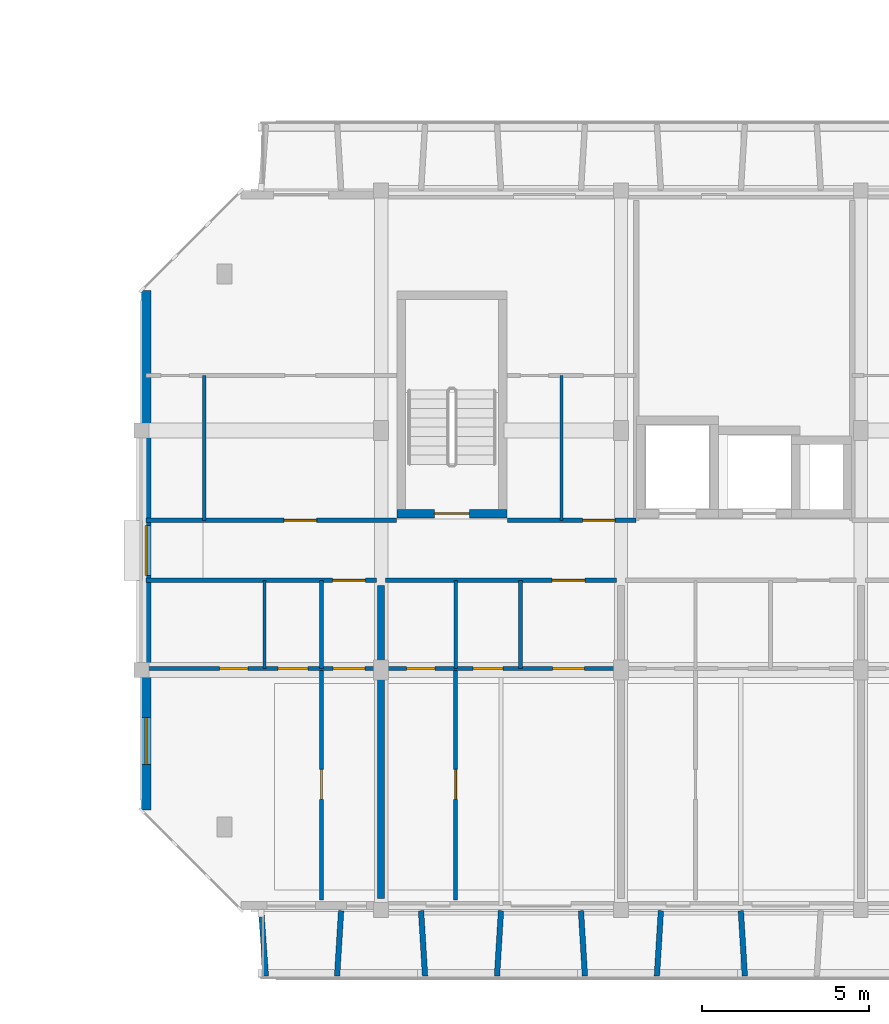
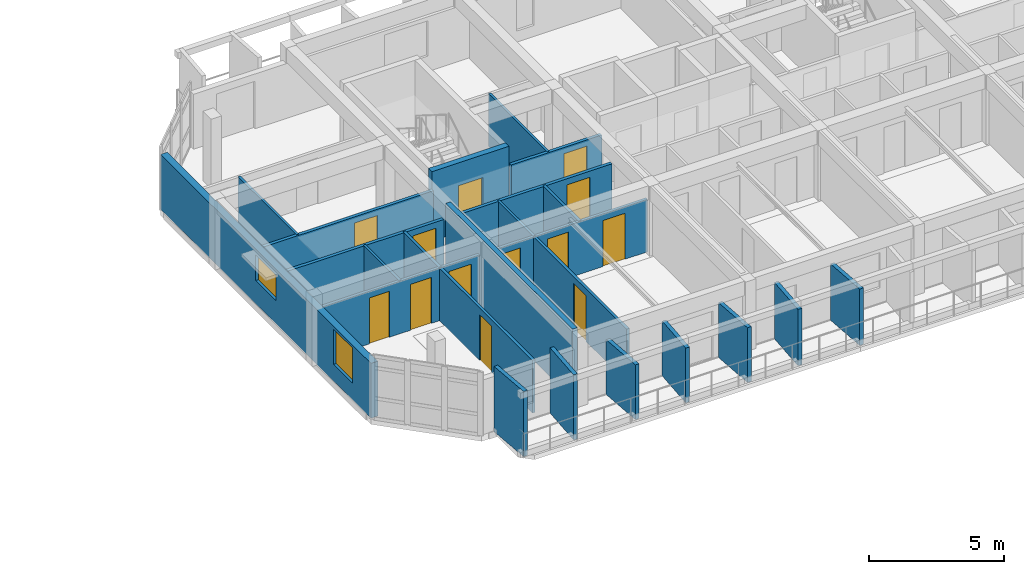
# One storey, part 25 of 43: 24 walls, 13 doors, 2 windows, 15 openings.
"""IFC4 building model written with IfcOpenShell, lengths in metres."""

import ifcopenshell
import ifcopenshell.guid

model = None  # the IFC model being written
_history = None  # IfcOwnerHistory: only IFC2X3 demands one
_inside = {}  # id of a spatial element -> (the spatial element, [elements in it])
_under = {}  # id of a project, library or spatial element -> (it, [spatial elements below it])
_declared = {}  # id of a project -> (the project, [libraries it declares])
_typed = {}  # id of a type object -> (the type object, [elements of that type])
_made_of = {}  # id of a material, layer set ... -> (it, [elements and type objects made of it])


def new_model(schema):
    """Start an empty IFC model of exactly this schema.

    Asked for "IFC4X3", IfcOpenShell would pick the latest addendum, in which some entities
    have other attributes; the version numbers below select the first issue.
    IFC2X3 requires an IfcOwnerHistory on every rooted entity: one is made here for all.
    """
    global model, _history
    if schema == "IFC4X3":
        model = ifcopenshell.file(schema_version=(4, 3, 0, 0))
    else:
        model = ifcopenshell.file(schema=schema)
    _inside.clear()
    _under.clear()
    _declared.clear()
    _typed.clear()
    _made_of.clear()
    _history = None
    if model.schema == "IFC2X3":
        org = make("IfcOrganization", Name="unknown")
        user = make(
            "IfcPersonAndOrganization",
            ThePerson=make("IfcPerson", FamilyName="unknown"),
            TheOrganization=org,
        )
        app = make(
            "IfcApplication",
            ApplicationDeveloper=org,
            Version="unknown",
            ApplicationFullName="unknown",
            ApplicationIdentifier="unknown",
        )
        _history = make(
            "IfcOwnerHistory",
            OwningUser=user,
            OwningApplication=app,
            ChangeAction="ADDED",
            CreationDate=0,
        )
    return model


def make(cls, **values):
    """One entity of the class cls with the attributes given. An attribute that is None is left unset."""
    return model.create_entity(
        cls, **{name: value for name, value in values.items() if value is not None}
    )


def rooted(cls, **values):
    """An entity with a GlobalId (a new one), such as an element, a storey or a relation."""
    return make(cls, GlobalId=ifcopenshell.guid.new(), OwnerHistory=_history, **values)


def si_unit(unit_type, name, prefix=None):
    """IfcSIUnit, for example si_unit("LENGTHUNIT", "METRE", prefix="MILLI")."""
    return make("IfcSIUnit", UnitType=unit_type, Prefix=prefix, Name=name)


def assignment(units):
    """IfcUnitAssignment: the units of a project."""
    return None if units is None else make("IfcUnitAssignment", Units=units)


def point(xyz):
    """IfcCartesianPoint."""
    return None if xyz is None else make("IfcCartesianPoint", Coordinates=xyz)


def direction(xyz):
    """IfcDirection."""
    return None if xyz is None else make("IfcDirection", DirectionRatios=xyz)


def frame(location, z_axis=None, x_axis=None):
    """IfcAxis2Placement3D, a coordinate frame: its origin and axes. An axis left out is left unset."""
    return make(
        "IfcAxis2Placement3D",
        Location=point(location),
        Axis=direction(z_axis),
        RefDirection=direction(x_axis),
    )


def frame_2d(location, x_axis=None):
    """IfcAxis2Placement2D, a coordinate frame in the plane: its origin and x axis."""
    return make(
        "IfcAxis2Placement2D", Location=point(location), RefDirection=direction(x_axis)
    )


def origin():
    """The frame at (0, 0, 0) with its axes left unset."""
    return frame((0.0, 0.0, 0.0))


def place(relative_to, where):
    """IfcLocalPlacement: puts the frame where relative to a parent placement (None: the world)."""
    return make(
        "IfcLocalPlacement", PlacementRelTo=relative_to, RelativePlacement=where
    )


def context(
    kind, dimensions, precision=None, world=None, true_north=None, identifier=None
):
    """IfcGeometricRepresentationContext, for example the 3D "Model" context."""
    return make(
        "IfcGeometricRepresentationContext",
        ContextIdentifier=identifier,
        ContextType=kind,
        CoordinateSpaceDimension=dimensions,
        Precision=precision,
        WorldCoordinateSystem=world,
        TrueNorth=true_north,
    )


def subcontext(parent, identifier, kind, view, scale=None):
    """IfcGeometricRepresentationSubContext, for example "Body" below "Model"."""
    return make(
        "IfcGeometricRepresentationSubContext",
        ContextIdentifier=identifier,
        ContextType=kind,
        ParentContext=parent,
        TargetScale=scale,
        TargetView=view,
    )


def project(units=None, contexts=None):
    """IfcProject with its units and contexts."""
    return rooted(
        "IfcProject",
        Name="project",
        RepresentationContexts=contexts,
        UnitsInContext=assignment(units),
    )


def spatial(cls, under=None, at=None, **own):
    """A site, building, storey or space (cls), placed at a placement, below another one or the project."""
    s = rooted(cls, ObjectPlacement=at, **own)
    if under is not None:
        _under.setdefault(under.id(), (under, []))[1].append(s)
    return s


def profile(cls, at=None, kind="AREA", **sizes):
    """A parametric profile (cls). Its sizes go by their IFC names, for example OverallWidth=200.0."""
    return make(cls, ProfileType=kind, Position=at, **sizes)


def rectangle(**sizes):
    """IfcRectangleProfileDef."""
    return profile("IfcRectangleProfileDef", **sizes)


def extrude(swept, where, along, depth):
    """IfcExtrudedAreaSolid: the profile swept, set in the frame where, extruded along a direction by depth."""
    return make(
        "IfcExtrudedAreaSolid",
        SweptArea=swept,
        Position=where,
        ExtrudedDirection=direction(along),
        Depth=depth,
    )


def shape(context_of_items, identifier, shape_type, items):
    """IfcShapeRepresentation: the items that make up one representation, for example the "Body"."""
    return make(
        "IfcShapeRepresentation",
        ContextOfItems=context_of_items,
        RepresentationIdentifier=identifier,
        RepresentationType=shape_type,
        Items=items,
    )


def material(Name=None, Category=None):
    """IfcMaterial."""
    return make("IfcMaterial", Name=Name, Category=Category)


def layer(
    of_material, thickness, ventilated=None, Name=None, Category=None, Priority=None
):
    """IfcMaterialLayer: one layer of a wall or slab, of a material (None: an air gap)."""
    return make(
        "IfcMaterialLayer",
        Material=of_material,
        LayerThickness=thickness,
        IsVentilated=ventilated,
        Name=Name,
        Category=Category,
        Priority=Priority,
    )


def layer_set(layers, Name=None):
    """IfcMaterialLayerSet."""
    return make("IfcMaterialLayerSet", MaterialLayers=layers, LayerSetName=Name)


def made_of(thing, what):
    """Note that an element or type object is made of a material, layer set ...; save() writes the relation."""
    if what is not None:
        _made_of.setdefault(what.id(), (what, []))[1].append(thing)
    return thing


def type_object(cls, material=None, **own):
    """A type object (cls), such as IfcWallType, which elements share."""
    return made_of(rooted(cls, **own), material)


def element(
    cls,
    number,
    at=None,
    inside=None,
    cuts=None,
    type_object=None,
    material=None,
    context=None,
    identifier="Body",
    shape_type=None,
    held_by="IfcProductDefinitionShape",
    body=None,
    shapes=None,
    **own,
):
    """One element of the class cls, such as IfcWall. Its Tag is "e" and its number.

    at: its placement. inside: the storey or other place that contains it. cuts: it is an
    opening in that element (IfcRelVoidsElement). A single representation is given by context,
    identifier, shape_type and body (its items); several are given by shapes. held_by: the class
    of the entity that holds the representations. save() writes the other relations.
    """
    e = rooted(cls, Tag="e%d" % number, ObjectPlacement=at, **own)
    if body is not None:
        shapes = [shape(context, identifier, shape_type, body)]
    if shapes is not None:
        e.Representation = make(held_by, Representations=shapes)
    if inside is not None:
        _inside.setdefault(inside.id(), (inside, []))[1].append(e)
    if cuts is not None:
        rooted(
            "IfcRelVoidsElement", RelatingBuildingElement=cuts, RelatedOpeningElement=e
        )
    if type_object is not None:
        _typed.setdefault(type_object.id(), (type_object, []))[1].append(e)
    return made_of(e, material)


def fill(opening, filler):
    """IfcRelFillsElement: the door or window that sits in an opening."""
    return rooted(
        "IfcRelFillsElement",
        RelatingOpeningElement=opening,
        RelatedBuildingElement=filler,
    )


def aggregate(whole, parts):
    """IfcRelAggregates: a whole, such as a stair, and the parts it consists of."""
    return rooted("IfcRelAggregates", RelatingObject=whole, RelatedObjects=parts)


def save(model, path):
    """Write the relations noted so far, then the file.

    IfcRelAggregates (storeys below a building ...), IfcRelContainedInSpatialStructure (elements
    in a storey), IfcRelDefinesByType, IfcRelAssociatesMaterial and IfcRelDeclares: one each for
    every whole, place, type object, material and project.
    """
    for whole, parts in _under.values():
        aggregate(whole, parts)
    for where, things in _inside.values():
        rooted(
            "IfcRelContainedInSpatialStructure",
            RelatedElements=things,
            RelatingStructure=where,
        )
    for kind, things in _typed.values():
        rooted("IfcRelDefinesByType", RelatedObjects=things, RelatingType=kind)
    for what, things in _made_of.values():
        rooted("IfcRelAssociatesMaterial", RelatedObjects=things, RelatingMaterial=what)
    for by, libraries in _declared.values():
        rooted("IfcRelDeclares", RelatingContext=by, RelatedDefinitions=libraries)
    model.write(path)


model = new_model("IFC4")

# Units and contexts
model_context = context("Model", 3, precision=1e-05, world=origin(), true_north=direction((0.0, 1.0)))
body_context = subcontext(model_context, "Body", "Model", "MODEL_VIEW")
ifc_project = project(units=[si_unit("LENGTHUNIT", "METRE"), si_unit("AREAUNIT", "SQUARE_METRE"), si_unit("VOLUMEUNIT", "CUBIC_METRE"), si_unit("PLANEANGLEUNIT", "RADIAN"), si_unit("MASSUNIT", "GRAM", prefix="KILO")], contexts=[model_context])

# Site, building, storey
site_placement = place(None, origin())
site = spatial("IfcSite", under=ifc_project, at=site_placement, CompositionType="ELEMENT")
building_placement = place(site_placement, origin())
building = spatial("IfcBuilding", under=site, at=building_placement, Name="Ochrevale Crest", CompositionType="ELEMENT")
storey_placement = place(building_placement, frame((0.0, 0.0, 30.75)))
storey = spatial("IfcBuildingStorey", under=building, at=storey_placement, Name="L09", CompositionType="ELEMENT", Elevation=30.75)

# Wall, opening, door
ifc_material_1 = material(Name="Gypsum plasterboard", Category="gypsum")
ifc_layer_1 = layer(ifc_material_1, 0.139892578125)
ifc_layer_set_1 = layer_set([ifc_layer_1], Name="Gypsum plasterboard")
wall_type_1 = type_object("IfcWallType", Name="WL-COR-140", PredefinedType="PARTITIONING", material=ifc_layer_set_1)
wall_1_placement = place(storey_placement, frame((129.739990234375, 24.300048828125, 0.0), z_axis=(0.0, 0.0, 1.0), x_axis=(1.0, 0.0, 0.0)))
wall_1 = element("IfcWall", 1, at=wall_1_placement, inside=storey, type_object=wall_type_1, Name="Apartment C-L09-U1 corridor wall", PredefinedType="PARTITIONING", context=body_context, shape_type="SweptSolid", body=[
    extrude(rectangle(XDim=6.919921875, YDim=0.139892578125, at=frame_2d((3.4599609375, 0.0))), origin(), (0.0, 0.0, 1.0), 2.3798828125),
])
opening_1_placement = place(wall_1_placement, frame((5.60498046875, 0.0, 0.0)))
opening_1 = element("IfcOpeningElement", 2, at=opening_1_placement, cuts=wall_1, Name="Opening FD01", PredefinedType="OPENING", context=body_context, shape_type="SweptSolid", body=[
    extrude(rectangle(XDim=0.97998046875, YDim=2.10009765625, at=frame_2d((0.489990234375, 1.050048828125))), frame((0.0, 0.080078125, 0.0), z_axis=(0.0, -1.0, 0.0), x_axis=(1.0, 0.0, 0.0)), (0.0, 0.0, 1.0), 0.159912109375),
])
ifc_material_2 = material(Name="Solid-core FSC hardwood", Category="wood")
door_type_1 = type_object("IfcDoorType", Name="DR-APT-950", OperationType="NOTDEFINED", PredefinedType="DOOR", material=ifc_material_2)
door_1_placement = place(opening_1_placement, origin())
door_1 = element("IfcDoor", 3, at=door_1_placement, inside=storey, type_object=door_type_1, Name="Apartment C-L09-U1 entrance door", OperationType="SINGLE_SWING_LEFT", OverallHeight=2.10009765625, OverallWidth=0.97998046875, PredefinedType="DOOR", context=body_context, shape_type="SweptSolid", body=[
    extrude(rectangle(XDim=0.97998046875, YDim=2.10009765625, at=frame_2d((0.489990234375, 1.050048828125))), frame((0.0, 0.02490234375, 0.0), z_axis=(0.0, -1.0, 0.0), x_axis=(1.0, 0.0, 0.0)), (0.0, 0.0, 1.0), 0.050048828125),
])
fill(opening_1, door_1)

wall_2_placement = place(storey_placement, frame((136.93994140625, 24.300048828125, 0.0), z_axis=(0.0, 0.0, 1.0), x_axis=(1.0, 0.0, 0.0)))
wall_2 = element("IfcWall", 4, at=wall_2_placement, inside=storey, type_object=wall_type_1, Name="Apartment C-L09-U2 corridor wall", PredefinedType="PARTITIONING", context=body_context, shape_type="SweptSolid", body=[
    extrude(rectangle(XDim=6.920166015625, YDim=0.139892578125, at=frame_2d((3.4599609375, 0.0))), origin(), (0.0, 0.0, 1.0), 2.3798828125),
])
opening_2_placement = place(wall_2_placement, frame((5.97509765625, 0.0, 0.0), z_axis=(0.0, 0.0, 1.0), x_axis=(-1.0, 0.0, 0.0)))
opening_2 = element("IfcOpeningElement", 5, at=opening_2_placement, cuts=wall_2, Name="Opening FD01", PredefinedType="OPENING", context=body_context, shape_type="SweptSolid", body=[
    extrude(rectangle(XDim=0.97998046875, YDim=2.10009765625, at=frame_2d((0.489990234375, 1.050048828125))), frame((0.0, 0.080078125, 0.0), z_axis=(0.0, -1.0, 0.0), x_axis=(1.0, 0.0, 0.0)), (0.0, 0.0, 1.0), 0.159912109375),
])
door_2_placement = place(opening_2_placement, origin())
door_2 = element("IfcDoor", 6, at=door_2_placement, inside=storey, type_object=door_type_1, Name="Apartment C-L09-U2 entrance door", OperationType="SINGLE_SWING_RIGHT", OverallHeight=2.10009765625, OverallWidth=0.97998046875, PredefinedType="DOOR", context=body_context, shape_type="SweptSolid", body=[
    extrude(rectangle(XDim=0.97998046875, YDim=2.10009765625, at=frame_2d((0.489990234375, 1.050048828125))), frame((0.0, 0.02490234375, 0.0), z_axis=(0.0, -1.0, 0.0), x_axis=(1.0, 0.0, 0.0)), (0.0, 0.0, 1.0), 0.050048828125),
])
fill(opening_2, door_2)

wall_3_placement = place(storey_placement, frame((129.739990234375, 26.10009765625, 0.0), z_axis=(0.0, 0.0, 1.0), x_axis=(1.0, 0.0, 0.0)))
wall_3 = element("IfcWall", 7, at=wall_3_placement, inside=storey, type_object=wall_type_1, Name="Suite C-L09-CW corridor wall", PredefinedType="PARTITIONING", context=body_context, shape_type="SweptSolid", body=[
    extrude(rectangle(XDim=7.52001953125, YDim=0.139892578125, at=frame_2d((3.760009765625, 0.0))), origin(), (0.0, 0.0, 1.0), 2.3798828125),
])
opening_3_placement = place(wall_3_placement, frame((4.14501953125, 0.0, 0.0)))
opening_3 = element("IfcOpeningElement", 8, at=opening_3_placement, cuts=wall_3, Name="Opening FD01", PredefinedType="OPENING", context=body_context, shape_type="SweptSolid", body=[
    extrude(rectangle(XDim=0.97998046875, YDim=2.10009765625, at=frame_2d((0.489990234375, 1.050048828125))), frame((0.0, 0.080078125, 0.0), z_axis=(0.0, -1.0, 0.0), x_axis=(1.0, 0.0, 0.0)), (0.0, 0.0, 1.0), 0.159912109375),
])
door_3_placement = place(opening_3_placement, origin())
door_3 = element("IfcDoor", 9, at=door_3_placement, inside=storey, type_object=door_type_1, Name="Suite C-L09-CW entrance door", OperationType="SINGLE_SWING_LEFT", OverallHeight=2.10009765625, OverallWidth=0.97998046875, PredefinedType="DOOR", context=body_context, shape_type="SweptSolid", body=[
    extrude(rectangle(XDim=0.97998046875, YDim=2.10009765625, at=frame_2d((0.489990234375, 1.050048828125))), frame((0.0, 0.02490234375, 0.0), z_axis=(0.0, -1.0, 0.0), x_axis=(1.0, 0.0, 0.0)), (0.0, 0.0, 1.0), 0.050048828125),
])
fill(opening_3, door_3)

wall_4_placement = place(storey_placement, frame((140.590087890625, 26.10009765625, 0.0), z_axis=(0.0, 0.0, 1.0), x_axis=(1.0, 0.0, 0.0)))
wall_4 = element("IfcWall", 10, at=wall_4_placement, inside=storey, type_object=wall_type_1, Name="Suite C-L09-MW corridor wall", PredefinedType="PARTITIONING", context=body_context, shape_type="SweptSolid", body=[
    extrude(rectangle(XDim=3.869873046875, YDim=0.139892578125, at=frame_2d((1.93505859375, 0.0))), origin(), (0.0, 0.0, 1.0), 2.3798828125),
])
opening_4_placement = place(wall_4_placement, frame((3.23779296875, 0.0, 0.0), z_axis=(0.0, 0.0, 1.0), x_axis=(-1.0, 0.0, 0.0)))
opening_4 = element("IfcOpeningElement", 11, at=opening_4_placement, cuts=wall_4, Name="Opening FD01", PredefinedType="OPENING", context=body_context, shape_type="SweptSolid", body=[
    extrude(rectangle(XDim=0.97998046875, YDim=2.10009765625, at=frame_2d((0.489990234375, 1.050048828125))), frame((0.0, 0.080078125, 0.0), z_axis=(0.0, -1.0, 0.0), x_axis=(1.0, 0.0, 0.0)), (0.0, 0.0, 1.0), 0.159912109375),
])
door_4_placement = place(opening_4_placement, origin())
door_4 = element("IfcDoor", 12, at=door_4_placement, inside=storey, type_object=door_type_1, Name="Suite C-L09-MW entrance door", OperationType="SINGLE_SWING_RIGHT", OverallHeight=2.10009765625, OverallWidth=0.97998046875, PredefinedType="DOOR", context=body_context, shape_type="SweptSolid", body=[
    extrude(rectangle(XDim=0.97998046875, YDim=2.10009765625, at=frame_2d((0.489990234375, 1.050048828125))), frame((0.0, 0.02490234375, 0.0), z_axis=(0.0, -1.0, 0.0), x_axis=(1.0, 0.0, 0.0)), (0.0, 0.0, 1.0), 0.050048828125),
])
fill(opening_4, door_4)

ifc_material_3 = material(Name="Precast concrete C50/60", Category="concrete")
ifc_layer_2 = layer(ifc_material_3, 0.2548828125)
ifc_layer_set_2 = layer_set([ifc_layer_2], Name="Precast concrete C50/60")
wall_type_2 = type_object("IfcWallType", Name="WL-CORE-255", PredefinedType="SHEAR", material=ifc_layer_set_2)
wall_5_placement = place(storey_placement, frame((137.2724609375, 26.300048828125, 0.0), z_axis=(0.0, 0.0, 1.0), x_axis=(1.0, 0.0, 0.0)))
wall_5 = element("IfcWall", 13, at=wall_5_placement, inside=storey, type_object=wall_type_2, Name="Block C L09 Stair 1 precast core shear wall S", PredefinedType="SHEAR", context=body_context, shape_type="SweptSolid", body=[
    extrude(rectangle(XDim=3.304931640625, YDim=0.2548828125, at=frame_2d((1.65234375, 0.0))), origin(), (0.0, 0.0, 1.0), 3.14990234375),
])
opening_5_placement = place(wall_5_placement, frame((2.177490234375, 0.0, 0.0), z_axis=(0.0, 0.0, 1.0), x_axis=(-1.0, 0.0, 0.0)))
opening_5 = element("IfcOpeningElement", 14, at=opening_5_placement, cuts=wall_5, Name="Opening FD03", PredefinedType="OPENING", context=body_context, shape_type="SweptSolid", body=[
    extrude(rectangle(XDim=1.050048828125, YDim=2.1201171875, at=frame_2d((0.52490234375, 1.06005859375))), frame((0.0, 0.137451171875, 0.0), z_axis=(0.0, -1.0, 0.0), x_axis=(1.0, 0.0, 0.0)), (0.0, 0.0, 1.0), 0.27490234375),
])
door_type_2 = type_object("IfcDoorType", Name="DR-ST-1050", OperationType="NOTDEFINED", PredefinedType="DOOR", material=ifc_material_2)
door_5_placement = place(opening_5_placement, origin())
door_5 = element("IfcDoor", 15, at=door_5_placement, inside=storey, type_object=door_type_2, Name="Block C L09 fire stair 1 door", OperationType="SINGLE_SWING_RIGHT", OverallHeight=2.1201171875, OverallWidth=1.050048828125, PredefinedType="DOOR", context=body_context, shape_type="SweptSolid", body=[
    extrude(rectangle(XDim=1.050048828125, YDim=2.1201171875, at=frame_2d((0.52490234375, 1.06005859375))), frame((0.0, 0.02490234375, 0.0), z_axis=(0.0, -1.0, 0.0), x_axis=(1.0, 0.0, 0.0)), (0.0, 0.0, 1.0), 0.050048828125),
])
fill(opening_5, door_5)

# Wall, openings, windows
ifc_material_4 = material(Name="Clay face brickwork", Category="masonry")
ifc_layer_3 = layer(ifc_material_4, 0.2900390625)
ifc_layer_set_3 = layer_set([ifc_layer_3], Name="Clay face brickwork")
wall_type_3 = type_object("IfcWallType", Name="WL-EXT-BRICK-290", PredefinedType="SOLIDWALL", material=ifc_layer_set_3)
wall_6_placement = place(storey_placement, frame((129.7451171875, 33.0, 0.0), z_axis=(0.0, 0.0, 1.0), x_axis=(0.0, -1.0, 0.0)))
wall_6 = element("IfcWall", 16, at=wall_6_placement, inside=storey, type_object=wall_type_3, Name="Block C L09 external facade wall E7", PredefinedType="SOLIDWALL", context=body_context, shape_type="SweptSolid", body=[
    extrude(rectangle(XDim=15.60009765625, YDim=0.2900390625, at=frame_2d((7.800048828125, 0.0))), origin(), (0.0, 0.0, 1.0), 2.47998046875),
])
opening_6_placement = place(wall_6_placement, frame((7.050048828125, 0.0, 1.050048828125)))
opening_6 = element("IfcOpeningElement", 17, at=opening_6_placement, cuts=wall_6, Name="Opening W18", PredefinedType="OPENING", context=body_context, shape_type="SweptSolid", body=[
    extrude(rectangle(XDim=1.5, YDim=1.14990234375, at=frame_2d((0.75, 0.574951171875))), frame((0.0, 0.155029296875, 0.0), z_axis=(0.0, -1.0, 0.0), x_axis=(1.0, 0.0, 0.0)), (0.0, 0.0, 1.0), 0.31005859375),
])
opening_7_placement = place(wall_6_placement, frame((12.8173828125, 0.0, 0.75)))
opening_7 = element("IfcOpeningElement", 18, at=opening_7_placement, cuts=wall_6, Name="Opening W31", PredefinedType="OPENING", context=body_context, shape_type="SweptSolid", body=[
    extrude(rectangle(XDim=1.419921875, YDim=1.60009765625, at=frame_2d((0.7099609375, 0.800048828125))), frame((0.0, 0.155029296875, 0.0), z_axis=(0.0, -1.0, 0.0), x_axis=(1.0, 0.0, 0.0)), (0.0, 0.0, 1.0), 0.31005859375),
])
ifc_material_5 = material(Name="Anodised aluminium 6063-T5 and low-E double glazing", Category="aluminium")
window_type_1 = type_object("IfcWindowType", Name="WIN-W18", PartitioningType="SINGLE_PANEL", PredefinedType="WINDOW", material=ifc_material_5)
window_1_placement = place(opening_6_placement, origin())
window_1 = element("IfcWindow", 19, at=window_1_placement, inside=storey, type_object=window_type_1, Name="Block C L09 corridor end daylight window W", OverallHeight=1.14990234375, OverallWidth=1.5, PartitioningType="SINGLE_PANEL", PredefinedType="WINDOW", context=body_context, shape_type="SweptSolid", body=[
    extrude(rectangle(XDim=1.5, YDim=1.14990234375, at=frame_2d((0.75, 0.574951171875))), frame((0.0, 0.030029296875, 0.0), z_axis=(0.0, -1.0, 0.0), x_axis=(1.0, 0.0, 0.0)), (0.0, 0.0, 1.0), 0.06005859375),
])
fill(opening_6, window_1)
window_type_2 = type_object("IfcWindowType", Name="WIN-W31", PartitioningType="SINGLE_PANEL", PredefinedType="WINDOW", material=ifc_material_5)
window_2_placement = place(opening_7_placement, origin())
window_2 = element("IfcWindow", 20, at=window_2_placement, inside=storey, type_object=window_type_2, Name="Block C L09 side suite window W", OverallHeight=1.60009765625, OverallWidth=1.419921875, PartitioningType="SINGLE_PANEL", PredefinedType="WINDOW", context=body_context, shape_type="SweptSolid", body=[
    extrude(rectangle(XDim=1.419921875, YDim=1.60009765625, at=frame_2d((0.7099609375, 0.800048828125))), frame((0.0, 0.030029296875, 0.0), z_axis=(0.0, -1.0, 0.0), x_axis=(1.0, 0.0, 0.0)), (0.0, 0.0, 1.0), 0.06005859375),
])
fill(opening_7, window_2)

# Walls
ifc_material_6 = material(Name="Precast concrete C40/50", Category="concrete")
ifc_layer_4 = layer(ifc_material_6, 0.1650390625)
ifc_layer_set_4 = layer_set([ifc_layer_4], Name="Precast concrete C40/50")
wall_type_4 = type_object("IfcWallType", Name="WL-HC-CHEEK-165", PredefinedType="ELEMENTEDWALL", material=ifc_layer_set_4)
wall_7_placement = place(storey_placement, frame((133.199951171875, 14.3798828125, 0.0), z_axis=(0.0, 0.0, 1.0), x_axis=(0.071317687608, -0.997453651772, 0.0)))
element("IfcWall", 21, at=wall_7_placement, inside=storey, type_object=wall_type_4, Name="Block C L09 S precast honeycomb cheek 1", PredefinedType="ELEMENTEDWALL", context=body_context, shape_type="SweptSolid", body=[
    extrude(rectangle(XDim=1.96484375, YDim=0.1650390625, at=frame_2d((0.982421875, 0.0))), origin(), (0.0, 0.0, 1.0), 2.949951171875),
])
wall_8_placement = place(storey_placement, frame((135.60009765625, 14.3798828125, 0.0), z_axis=(0.0, 0.0, 1.0), x_axis=(-0.061170732449, -0.998127317276, 0.0)))
element("IfcWall", 22, at=wall_8_placement, inside=storey, type_object=wall_type_4, Name="Block C L09 S precast honeycomb cheek 2", PredefinedType="ELEMENTEDWALL", context=body_context, shape_type="SweptSolid", body=[
    extrude(rectangle(XDim=1.963623046875, YDim=0.1650390625, at=frame_2d((0.98193359375, 0.0))), origin(), (0.0, 0.0, 1.0), 2.949951171875),
])
for number, where, z_axis, x_axis, name in (
    (23, (138.0, 14.3798828125, 0.0), (0.0, 0.0, 1.0), (0.061170732449, -0.998127317276, 0.0), "Block C L09 S precast honeycomb cheek 3"),
    (24, (140.39990234375, 14.3798828125, 0.0), (0.0, 0.0, 1.0), (-0.061046865508, -0.998134900808, 0.0), "Block C L09 S precast honeycomb cheek 4"),
    (25, (142.800048828125, 14.3798828125, 0.0), (0.0, 0.0, 1.0), (0.061046865508, -0.998134900808, 0.0), "Block C L09 S precast honeycomb cheek 5"),
):
    element("IfcWall", number, at=place(storey_placement, frame(where, z_axis=z_axis, x_axis=x_axis)), inside=storey, type_object=wall_type_4, Name=name, PredefinedType="ELEMENTEDWALL", context=body_context, shape_type="SweptSolid", body=[
        extrude(rectangle(XDim=1.963623046875, YDim=0.1650390625, at=frame_2d((0.98193359375, 0.0))), origin(), (0.0, 0.0, 1.0), 2.47998046875),
    ])
for number, where, z_axis, x_axis, name in (
    (26, (145.199951171875, 14.3798828125, 0.0), (0.0, 0.0, 1.0), (-0.061046865508, -0.998134900808, 0.0), "Block C L09 S precast honeycomb cheek 6"),
    (27, (147.60009765625, 14.3798828125, 0.0), (0.0, 0.0, 1.0), (0.061046865508, -0.998134900808, 0.0), "Block C L09 S precast honeycomb cheek 7"),
):
    element("IfcWall", number, at=place(storey_placement, frame(where, z_axis=z_axis, x_axis=x_axis)), inside=storey, type_object=wall_type_4, Name=name, PredefinedType="ELEMENTEDWALL", context=body_context, shape_type="SweptSolid", body=[
        extrude(rectangle(XDim=1.963623046875, YDim=0.1650390625, at=frame_2d((0.98193359375, 0.0))), origin(), (0.0, 0.0, 1.0), 2.550048828125),
    ])
ifc_layer_5 = layer(ifc_material_1, 0.1201171875)
ifc_layer_set_5 = layer_set([ifc_layer_5], Name="Gypsum plasterboard")
wall_type_5 = type_object("IfcWallType", Name="WL-PART-120", PredefinedType="PARTITIONING", material=ifc_layer_set_5)
wall_9_placement = place(storey_placement, frame((135.010009765625, 21.64990234375, 0.0), z_axis=(0.0, 0.0, 1.0), x_axis=(0.0, 1.0, 0.0)))
element("IfcWall", 28, at=wall_9_placement, inside=storey, type_object=wall_type_5, Name="Apartment C-L09-U1 kitchen-foyer wall", PredefinedType="PARTITIONING", context=body_context, shape_type="SweptSolid", body=[
    extrude(rectangle(XDim=2.650146484375, YDim=0.1201171875, at=frame_2d((1.3251953125, 0.0))), origin(), (0.0, 0.0, 1.0), 2.3798828125),
])

# Wall, openings, doors
wall_10_placement = place(storey_placement, frame((129.739990234375, 21.64990234375, 0.0), z_axis=(0.0, 0.0, 1.0), x_axis=(1.0, 0.0, 0.0)))
wall_10 = element("IfcWall", 29, at=wall_10_placement, inside=storey, type_object=wall_type_5, Name="Apartment C-L09-U1 central partition", PredefinedType="PARTITIONING", context=body_context, shape_type="SweptSolid", body=[
    extrude(rectangle(XDim=6.919921875, YDim=0.1201171875, at=frame_2d((3.4599609375, 0.0))), origin(), (0.0, 0.0, 1.0), 2.3798828125),
])
opening_8_placement = place(wall_10_placement, frame((3.06005859375, 0.0, 0.0), z_axis=(0.0, 0.0, 1.0), x_axis=(-1.0, 0.0, 0.0)))
opening_8 = element("IfcOpeningElement", 30, at=opening_8_placement, cuts=wall_10, Name="Opening ID01", PredefinedType="OPENING", context=body_context, shape_type="SweptSolid", body=[
    extrude(rectangle(XDim=0.85009765625, YDim=2.080078125, at=frame_2d((0.425048828125, 1.0400390625))), frame((0.0, 0.070068359375, 0.0), z_axis=(0.0, -1.0, 0.0), x_axis=(1.0, 0.0, 0.0)), (0.0, 0.0, 1.0), 0.14013671875),
])
opening_9_placement = place(wall_10_placement, frame((3.965087890625, 0.0, 0.0)))
opening_9 = element("IfcOpeningElement", 31, at=opening_9_placement, cuts=wall_10, Name="Opening ID02", PredefinedType="OPENING", context=body_context, shape_type="SweptSolid", body=[
    extrude(rectangle(XDim=0.89990234375, YDim=2.080078125, at=frame_2d((0.449951171875, 1.0400390625))), frame((0.0, 0.070068359375, 0.0), z_axis=(0.0, -1.0, 0.0), x_axis=(1.0, 0.0, 0.0)), (0.0, 0.0, 1.0), 0.14013671875),
])
opening_10_placement = place(wall_10_placement, frame((6.570068359375, 0.0, 0.0), z_axis=(0.0, 0.0, 1.0), x_axis=(-1.0, 0.0, 0.0)))
opening_10 = element("IfcOpeningElement", 32, at=opening_10_placement, cuts=wall_10, Name="Opening ID06", PredefinedType="OPENING", context=body_context, shape_type="SweptSolid", body=[
    extrude(rectangle(XDim=0.949951171875, YDim=2.080078125, at=frame_2d((0.47509765625, 1.0400390625))), frame((0.0, 0.070068359375, 0.0), z_axis=(0.0, -1.0, 0.0), x_axis=(1.0, 0.0, 0.0)), (0.0, 0.0, 1.0), 0.14013671875),
])
door_type_3 = type_object("IfcDoorType", Name="DR-INT-900", OperationType="NOTDEFINED", PredefinedType="DOOR", material=ifc_material_2)
door_6_placement = place(opening_9_placement, origin())
door_6 = element("IfcDoor", 33, at=door_6_placement, inside=storey, type_object=door_type_3, Name="Apartment C-L09-U1 Kitchen door", OperationType="SINGLE_SWING_LEFT", OverallHeight=2.080078125, OverallWidth=0.89990234375, PredefinedType="DOOR", context=body_context, shape_type="SweptSolid", body=[
    extrude(rectangle(XDim=0.89990234375, YDim=2.080078125, at=frame_2d((0.449951171875, 1.0400390625))), frame((0.0, 0.02490234375, 0.0), z_axis=(0.0, -1.0, 0.0), x_axis=(1.0, 0.0, 0.0)), (0.0, 0.0, 1.0), 0.050048828125),
])
fill(opening_9, door_6)
door_type_4 = type_object("IfcDoorType", Name="DR-INT-950", OperationType="NOTDEFINED", PredefinedType="DOOR", material=ifc_material_2)
door_7_placement = place(opening_10_placement, origin())
door_7 = element("IfcDoor", 34, at=door_7_placement, inside=storey, type_object=door_type_4, Name="Apartment C-L09-U1 Living Foyer door", OperationType="SINGLE_SWING_RIGHT", OverallHeight=2.080078125, OverallWidth=0.949951171875, PredefinedType="DOOR", context=body_context, shape_type="SweptSolid", body=[
    extrude(rectangle(XDim=0.949951171875, YDim=2.080078125, at=frame_2d((0.47509765625, 1.0400390625))), frame((0.0, 0.02490234375, 0.0), z_axis=(0.0, -1.0, 0.0), x_axis=(1.0, 0.0, 0.0)), (0.0, 0.0, 1.0), 0.050048828125),
])
fill(opening_10, door_7)
door_type_5 = type_object("IfcDoorType", Name="DR-WC-850", OperationType="NOTDEFINED", PredefinedType="DOOR", material=ifc_material_2)
door_8_placement = place(opening_8_placement, origin())
door_8 = element("IfcDoor", 35, at=door_8_placement, inside=storey, type_object=door_type_5, Name="Apartment C-L09-U1 Bathroom door", OperationType="SINGLE_SWING_RIGHT", OverallHeight=2.080078125, OverallWidth=0.85009765625, PredefinedType="DOOR", context=body_context, shape_type="SweptSolid", body=[
    extrude(rectangle(XDim=0.85009765625, YDim=2.080078125, at=frame_2d((0.425048828125, 1.0400390625))), frame((0.0, 0.02490234375, 0.0), z_axis=(0.0, -1.0, 0.0), x_axis=(1.0, 0.0, 0.0)), (0.0, 0.0, 1.0), 0.050048828125),
])
fill(opening_8, door_8)

# Wall, opening, door
wall_11_placement = place(storey_placement, frame((135.010009765625, 14.699951171875, 0.0), z_axis=(0.0, 0.0, 1.0), x_axis=(0.0, 1.0, 0.0)))
wall_11 = element("IfcWall", 36, at=wall_11_placement, inside=storey, type_object=wall_type_5, Name="Apartment C-L09-U1 bedroom partition", PredefinedType="PARTITIONING", context=body_context, shape_type="SweptSolid", body=[
    extrude(rectangle(XDim=6.949951171875, YDim=0.1201171875, at=frame_2d((3.47509765625, 0.0))), origin(), (0.0, 0.0, 1.0), 2.3798828125),
])
opening_11_placement = place(wall_11_placement, frame((3.02490234375, 0.0, 0.0)))
opening_11 = element("IfcOpeningElement", 37, at=opening_11_placement, cuts=wall_11, Name="Opening ID02", PredefinedType="OPENING", context=body_context, shape_type="SweptSolid", body=[
    extrude(rectangle(XDim=0.89990234375, YDim=2.080078125, at=frame_2d((0.449951171875, 1.0400390625))), frame((0.0, 0.070068359375, 0.0), z_axis=(0.0, -1.0, 0.0), x_axis=(1.0, 0.0, 0.0)), (0.0, 0.0, 1.0), 0.14013671875),
])
door_9_placement = place(opening_11_placement, origin())
door_9 = element("IfcDoor", 38, at=door_9_placement, inside=storey, type_object=door_type_3, Name="Apartment C-L09-U1 Master Bedroom door", OperationType="SINGLE_SWING_LEFT", OverallHeight=2.080078125, OverallWidth=0.89990234375, PredefinedType="DOOR", context=body_context, shape_type="SweptSolid", body=[
    extrude(rectangle(XDim=0.89990234375, YDim=2.080078125, at=frame_2d((0.449951171875, 1.0400390625))), frame((0.0, 0.02490234375, 0.0), z_axis=(0.0, -1.0, 0.0), x_axis=(1.0, 0.0, 0.0)), (0.0, 0.0, 1.0), 0.050048828125),
])
fill(opening_11, door_9)

# Wall
wall_12_placement = place(storey_placement, frame((140.989990234375, 21.64990234375, 0.0), z_axis=(0.0, 0.0, 1.0), x_axis=(0.0, 1.0, 0.0)))
element("IfcWall", 39, at=wall_12_placement, inside=storey, type_object=wall_type_5, Name="Apartment C-L09-U2 kitchen-foyer wall", PredefinedType="PARTITIONING", context=body_context, shape_type="SweptSolid", body=[
    extrude(rectangle(XDim=2.650146484375, YDim=0.1201171875, at=frame_2d((1.3251953125, 0.0))), origin(), (0.0, 0.0, 1.0), 2.3798828125),
])

# Wall, openings, doors
wall_13_placement = place(storey_placement, frame((136.93994140625, 21.64990234375, 0.0), z_axis=(0.0, 0.0, 1.0), x_axis=(1.0, 0.0, 0.0)))
wall_13 = element("IfcWall", 40, at=wall_13_placement, inside=storey, type_object=wall_type_5, Name="Apartment C-L09-U2 central partition", PredefinedType="PARTITIONING", context=body_context, shape_type="SweptSolid", body=[
    extrude(rectangle(XDim=6.920166015625, YDim=0.1201171875, at=frame_2d((3.4599609375, 0.0))), origin(), (0.0, 0.0, 1.0), 2.3798828125),
])
opening_12_placement = place(wall_13_placement, frame((0.625, 0.0, 0.0)))
opening_12 = element("IfcOpeningElement", 41, at=opening_12_placement, cuts=wall_13, Name="Opening ID01", PredefinedType="OPENING", context=body_context, shape_type="SweptSolid", body=[
    extrude(rectangle(XDim=0.85009765625, YDim=2.080078125, at=frame_2d((0.425048828125, 1.0400390625))), frame((0.0, 0.070068359375, 0.0), z_axis=(0.0, -1.0, 0.0), x_axis=(1.0, 0.0, 0.0)), (0.0, 0.0, 1.0), 0.14013671875),
])
opening_13_placement = place(wall_13_placement, frame((3.52490234375, 0.0, 0.0), z_axis=(0.0, 0.0, 1.0), x_axis=(-1.0, 0.0, 0.0)))
opening_13 = element("IfcOpeningElement", 42, at=opening_13_placement, cuts=wall_13, Name="Opening ID02", PredefinedType="OPENING", context=body_context, shape_type="SweptSolid", body=[
    extrude(rectangle(XDim=0.89990234375, YDim=2.080078125, at=frame_2d((0.449951171875, 1.0400390625))), frame((0.0, 0.070068359375, 0.0), z_axis=(0.0, -1.0, 0.0), x_axis=(1.0, 0.0, 0.0)), (0.0, 0.0, 1.0), 0.14013671875),
])
opening_14_placement = place(wall_13_placement, frame((5.010009765625, 0.0, 0.0)))
opening_14 = element("IfcOpeningElement", 43, at=opening_14_placement, cuts=wall_13, Name="Opening ID06", PredefinedType="OPENING", context=body_context, shape_type="SweptSolid", body=[
    extrude(rectangle(XDim=0.949951171875, YDim=2.080078125, at=frame_2d((0.47509765625, 1.0400390625))), frame((0.0, 0.070068359375, 0.0), z_axis=(0.0, -1.0, 0.0), x_axis=(1.0, 0.0, 0.0)), (0.0, 0.0, 1.0), 0.14013671875),
])
door_10_placement = place(opening_13_placement, origin())
door_10 = element("IfcDoor", 44, at=door_10_placement, inside=storey, type_object=door_type_3, Name="Apartment C-L09-U2 Kitchen door", OperationType="SINGLE_SWING_RIGHT", OverallHeight=2.080078125, OverallWidth=0.89990234375, PredefinedType="DOOR", context=body_context, shape_type="SweptSolid", body=[
    extrude(rectangle(XDim=0.89990234375, YDim=2.080078125, at=frame_2d((0.449951171875, 1.0400390625))), frame((0.0, 0.02490234375, 0.0), z_axis=(0.0, -1.0, 0.0), x_axis=(1.0, 0.0, 0.0)), (0.0, 0.0, 1.0), 0.050048828125),
])
fill(opening_13, door_10)
door_11_placement = place(opening_14_placement, origin())
door_11 = element("IfcDoor", 45, at=door_11_placement, inside=storey, type_object=door_type_4, Name="Apartment C-L09-U2 Living Foyer door", OperationType="SINGLE_SWING_LEFT", OverallHeight=2.080078125, OverallWidth=0.949951171875, PredefinedType="DOOR", context=body_context, shape_type="SweptSolid", body=[
    extrude(rectangle(XDim=0.949951171875, YDim=2.080078125, at=frame_2d((0.47509765625, 1.0400390625))), frame((0.0, 0.02490234375, 0.0), z_axis=(0.0, -1.0, 0.0), x_axis=(1.0, 0.0, 0.0)), (0.0, 0.0, 1.0), 0.050048828125),
])
fill(opening_14, door_11)
door_12_placement = place(opening_12_placement, origin())
door_12 = element("IfcDoor", 46, at=door_12_placement, inside=storey, type_object=door_type_5, Name="Apartment C-L09-U2 Bathroom door", OperationType="SINGLE_SWING_LEFT", OverallHeight=2.080078125, OverallWidth=0.85009765625, PredefinedType="DOOR", context=body_context, shape_type="SweptSolid", body=[
    extrude(rectangle(XDim=0.85009765625, YDim=2.080078125, at=frame_2d((0.425048828125, 1.0400390625))), frame((0.0, 0.02490234375, 0.0), z_axis=(0.0, -1.0, 0.0), x_axis=(1.0, 0.0, 0.0)), (0.0, 0.0, 1.0), 0.050048828125),
])
fill(opening_12, door_12)

# Wall, opening, door
wall_14_placement = place(storey_placement, frame((139.0400390625, 14.699951171875, 0.0), z_axis=(0.0, 0.0, 1.0), x_axis=(0.0, 1.0, 0.0)))
wall_14 = element("IfcWall", 47, at=wall_14_placement, inside=storey, type_object=wall_type_5, Name="Apartment C-L09-U2 bedroom partition", PredefinedType="PARTITIONING", context=body_context, shape_type="SweptSolid", body=[
    extrude(rectangle(XDim=6.949951171875, YDim=0.1201171875, at=frame_2d((3.47509765625, 0.0))), origin(), (0.0, 0.0, 1.0), 2.3798828125),
])
opening_15_placement = place(wall_14_placement, frame((3.9248046875, 0.0, 0.0), z_axis=(0.0, 0.0, 1.0), x_axis=(-1.0, 0.0, 0.0)))
opening_15 = element("IfcOpeningElement", 48, at=opening_15_placement, cuts=wall_14, Name="Opening ID02", PredefinedType="OPENING", context=body_context, shape_type="SweptSolid", body=[
    extrude(rectangle(XDim=0.89990234375, YDim=2.080078125, at=frame_2d((0.449951171875, 1.0400390625))), frame((0.0, 0.070068359375, 0.0), z_axis=(0.0, -1.0, 0.0), x_axis=(1.0, 0.0, 0.0)), (0.0, 0.0, 1.0), 0.14013671875),
])
door_13_placement = place(opening_15_placement, origin())
door_13 = element("IfcDoor", 49, at=door_13_placement, inside=storey, type_object=door_type_3, Name="Apartment C-L09-U2 Master Bedroom door", OperationType="SINGLE_SWING_RIGHT", OverallHeight=2.080078125, OverallWidth=0.89990234375, PredefinedType="DOOR", context=body_context, shape_type="SweptSolid", body=[
    extrude(rectangle(XDim=0.89990234375, YDim=2.080078125, at=frame_2d((0.449951171875, 1.0400390625))), frame((0.0, 0.02490234375, 0.0), z_axis=(0.0, -1.0, 0.0), x_axis=(1.0, 0.0, 0.0)), (0.0, 0.0, 1.0), 0.050048828125),
])
fill(opening_15, door_13)

# Walls
ifc_layer_6 = layer(ifc_material_6, 0.2099609375)
ifc_layer_set_6 = layer_set([ifc_layer_6], Name="Precast concrete C40/50")
wall_type_6 = type_object("IfcWallType", Name="WL-SHEAR-210", PredefinedType="SHEAR", material=ifc_layer_set_6)
wall_15_placement = place(storey_placement, frame((136.800048828125, 14.75, 0.0), z_axis=(0.0, 0.0, 1.0), x_axis=(0.0, 1.0, 0.0)))
element("IfcWall", 50, at=wall_15_placement, inside=storey, type_object=wall_type_6, Name="Block C L09 load-bearing precast cross-wall X=136.8", PredefinedType="SHEAR", context=body_context, shape_type="SweptSolid", body=[
    extrude(rectangle(XDim=9.39990234375, YDim=0.2099609375, at=frame_2d((4.699951171875, 0.0))), origin(), (0.0, 0.0, 1.0), 3.14990234375),
])
ifc_layer_7 = layer(ifc_material_1, 0.10009765625)
ifc_layer_set_7 = layer_set([ifc_layer_7], Name="Gypsum plasterboard")
wall_type_7 = type_object("IfcWallType", Name="WL-WET-100", PredefinedType="PARTITIONING", material=ifc_layer_set_7)
for number, where, z_axis, x_axis, name in (
    (51, (133.300048828125, 21.64990234375, 0.0), (0.0, 0.0, 1.0), (0.0, 1.0, 0.0), "Apartment C-L09-U1 bath-kitchen wall"),
    (52, (139.0400390625, 21.64990234375, 0.0), (0.0, 0.0, 1.0), (0.0, 1.0, 0.0), "Apartment C-L09-U2 bath-kitchen wall"),
):
    element("IfcWall", number, at=place(storey_placement, frame(where, z_axis=z_axis, x_axis=x_axis)), inside=storey, type_object=wall_type_7, Name=name, PredefinedType="PARTITIONING", context=body_context, shape_type="SweptSolid", body=[
        extrude(rectangle(XDim=2.650146484375, YDim=0.10009765625, at=frame_2d((1.3251953125, 0.0))), origin(), (0.0, 0.0, 1.0), 2.3798828125),
    ])
for number, where, z_axis, x_axis, name in (
    (53, (131.489990234375, 26.10009765625, 0.0), (0.0, 0.0, 1.0), (0.0, 1.0, 0.0), "Suite C-L09-CW bathroom divider"),
    (54, (142.21533203125, 26.10009765625, 0.0), (0.0, 0.0, 1.0), (0.0, 1.0, 0.0), "Suite C-L09-MW bathroom divider"),
):
    element("IfcWall", number, at=place(storey_placement, frame(where, z_axis=z_axis, x_axis=x_axis)), inside=storey, type_object=wall_type_7, Name=name, PredefinedType="PARTITIONING", context=body_context, shape_type="SweptSolid", body=[
        extrude(rectangle(XDim=4.349853515625, YDim=0.10009765625, at=frame_2d((2.1748046875, 0.0))), origin(), (0.0, 0.0, 1.0), 2.3798828125),
    ])

save(model, "model.ifc")
